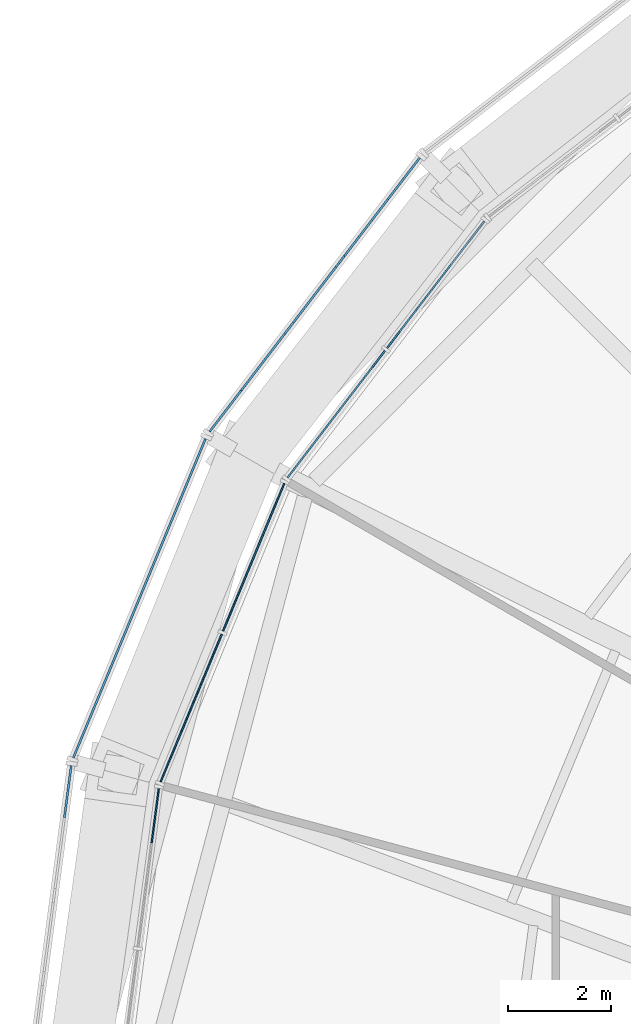
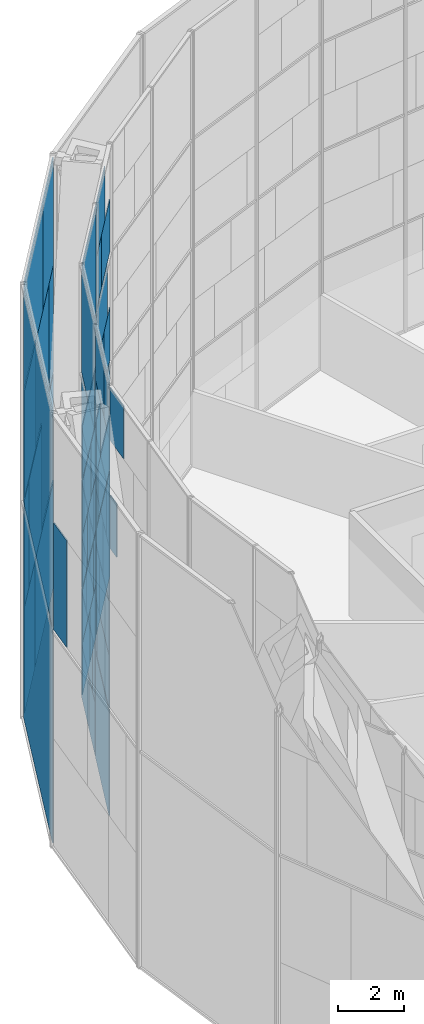
# One storey, part 21 of 29: 63 plates, 6 elements without a shape of their own.
"""IFC4 building model written with IfcOpenShell, lengths in metres."""

from ifc_helpers import new_model, si_unit, direction, frame, origin, origin_2d, place, context, subcontext, project, spatial, rectangle, extrude, material, layer, layer_set, type_object, element, aggregate, save


model = new_model("IFC4")

# Units and contexts
model_context = context("Model", 3, precision=1e-05, world=origin(), true_north=direction((0.0, 1.0)))
body_context = subcontext(model_context, "Body", "Model", "MODEL_VIEW")
ifc_project = project(units=[si_unit("LENGTHUNIT", "METRE"), si_unit("AREAUNIT", "SQUARE_METRE"), si_unit("VOLUMEUNIT", "CUBIC_METRE"), si_unit("PLANEANGLEUNIT", "RADIAN"), si_unit("MASSUNIT", "GRAM", prefix="KILO")], contexts=[model_context])

# Site, building, storey
site_placement = place(None, origin())
site = spatial("IfcSite", under=ifc_project, at=site_placement, CompositionType="ELEMENT")
building_placement = place(site_placement, origin())
building = spatial("IfcBuilding", under=site, at=building_placement, Name="Golbaran Civic Tower", CompositionType="ELEMENT")
storey_placement = place(building_placement, frame((0.0, 0.0, 118.0)))
storey = spatial("IfcBuildingStorey", under=building, at=storey_placement, Name="L28", CompositionType="ELEMENT", Elevation=118.0)

# Curtain wall, plates
ifc_material_1 = material(Name="Aluminium and glass", Category="aluminium")
curtain_wall_type_1 = type_object("IfcCurtainWallType", Name="INNER SKIN CURTAIN WALL", PredefinedType="NOTDEFINED", material=ifc_material_1)
curtain_wall_1_placement = place(storey_placement, origin())
curtain_wall_1 = element("IfcCurtainWall", 1, at=curtain_wall_1_placement, inside=storey, type_object=curtain_wall_type_1, Name="Inner skin L28 facet 10 CW1", ObjectType="INNER SKIN", PredefinedType="USERDEFINED")
ifc_material_2 = material(Name="Clear insulating glass", Category="glass")
ifc_layer_1 = layer(ifc_material_2, 0.031982421875, Name="Clear insulating glass")
ifc_layer_set_1 = layer_set([ifc_layer_1], Name="Clear insulating glass")
plate_type_1 = type_object("IfcPlateType", Name="INNER SKIN CURTAIN WALL GLAZED PANEL", PredefinedType="CURTAIN_PANEL", material=ifc_layer_set_1)
plate_1_placement = place(storey_placement, frame((-18.332763671875, 16.06494140625, 0.06494140625), z_axis=(0.0, 0.0, 1.0), x_axis=(-0.608761428898, -0.793353340376, 0.0)))
plate_1 = element("IfcPlate", 2, at=plate_1_placement, type_object=plate_type_1, Name="CW1 panel 1.1", PredefinedType="CURTAIN_PANEL", context=body_context, shape_type="SweptSolid", body=[
    extrude(rectangle(XDim=3.104736328125, YDim=0.031982421875, at=origin_2d()), origin(), (0.0, 0.0, 1.0), 3.902587890625),
])
plate_2_placement = place(storey_placement, frame((-18.21044921875, 16.224365234375, 4.03271484375), z_axis=(0.0, 0.0, 1.0), x_axis=(-0.608761428898, -0.793353340376, 0.0)))
plate_2 = element("IfcPlate", 3, at=plate_2_placement, type_object=plate_type_1, Name="CW1 panel 1.2 part 1", PredefinedType="CURTAIN_PANEL", context=body_context, shape_type="SweptSolid", body=[
    extrude(rectangle(XDim=2.702880859375, YDim=0.031982421875, at=origin_2d()), origin(), (0.0, 0.0, 1.0), 1.967529296875),
])
plate_3_placement = place(storey_placement, frame((-18.047119140625, 16.4375, 6.0), z_axis=(0.0, 0.0, 1.0), x_axis=(-0.608761428898, -0.793353340376, 0.0)))
plate_3 = element("IfcPlate", 4, at=plate_3_placement, type_object=plate_type_1, Name="CW1 panel 1.2 part 3", PredefinedType="CURTAIN_PANEL", context=body_context, shape_type="SweptSolid", body=[
    extrude(rectangle(XDim=2.166015625, YDim=0.031982421875, at=origin_2d()), origin(), (0.0, 0.0, 1.0), 1.967529296875),
])
plate_4_placement = place(storey_placement, frame((-17.791015625, 16.77099609375, 8.03271484375), z_axis=(0.0, 0.0, 1.0), x_axis=(-0.608761428898, -0.793353340376, 0.0)))
plate_4 = element("IfcPlate", 5, at=plate_4_placement, type_object=plate_type_1, Name="CW1 panel 1.3 part 1", PredefinedType="CURTAIN_PANEL", context=body_context, shape_type="SweptSolid", body=[
    extrude(rectangle(XDim=1.324951171875, YDim=0.031982421875, at=origin_2d()), origin(), (0.0, 0.0, 1.0), 1.967529296875),
])
plate_5_placement = place(storey_placement, frame((-18.90283203125, 15.322021484375, 12.032470703125), z_axis=(0.0, 0.0, 1.0), x_axis=(-0.608761428898, -0.793353340376, 0.0)))
plate_5 = element("IfcPlate", 6, at=plate_5_placement, type_object=plate_type_1, Name="CW1 panel 1.4 part 2", PredefinedType="CURTAIN_PANEL", context=body_context, shape_type="SweptSolid", body=[
    extrude(rectangle(XDim=1.23193359375, YDim=0.031982421875, at=origin_2d()), origin(), (0.0, 0.0, 1.0), 1.951171875),
])
plate_6_placement = place(storey_placement, frame((-18.656982421875, 15.642578125, 13.98388671875), z_axis=(0.0, 0.0, 1.0), x_axis=(-0.608761428898, -0.793353340376, 0.0)))
plate_6 = element("IfcPlate", 7, at=plate_6_placement, type_object=plate_type_1, Name="CW1 panel 1.4 part 4", PredefinedType="CURTAIN_PANEL", context=body_context, shape_type="SweptSolid", body=[
    extrude(rectangle(XDim=2.039794921875, YDim=0.031982421875, at=origin_2d()), origin(), (0.0, 0.0, 1.0), 1.951171875),
])
plate_7_placement = place(storey_placement, frame((-19.761474609375, 14.203125, 0.06494140625), z_axis=(0.0, 0.0, 1.0), x_axis=(-0.608761428898, -0.793353340376, 0.0)))
plate_7 = element("IfcPlate", 8, at=plate_7_placement, type_object=plate_type_1, Name="CW1 panel 2.1 part 1", PredefinedType="CURTAIN_PANEL", context=body_context, shape_type="SweptSolid", body=[
    extrude(rectangle(XDim=1.458984375, YDim=0.031982421875, at=origin_2d()), origin(), (0.0, 0.0, 1.0), 1.951171875),
])
plate_8_placement = place(storey_placement, frame((-19.515625, 14.5234375, 2.016357421875), z_axis=(0.0, 0.0, 1.0), x_axis=(-0.608761428898, -0.793353340376, 0.0)))
plate_8 = element("IfcPlate", 9, at=plate_8_placement, type_object=plate_type_1, Name="CW1 panel 2.1 part 3", PredefinedType="CURTAIN_PANEL", context=body_context, shape_type="SweptSolid", body=[
    extrude(rectangle(XDim=0.65087890625, YDim=0.031982421875, at=origin_2d()), origin(), (0.0, 0.0, 1.0), 1.951171875),
])
plate_9_placement = place(storey_placement, frame((-20.87548828125, 12.751220703125, 4.03271484375), z_axis=(0.0, 0.0, 1.0), x_axis=(-0.608761428898, -0.793353340376, 0.0)))
plate_9 = element("IfcPlate", 10, at=plate_9_placement, type_object=plate_type_1, Name="CW1 panel 2.2 part 2", PredefinedType="CURTAIN_PANEL", context=body_context, shape_type="SweptSolid", body=[
    extrude(rectangle(XDim=1.0908203125, YDim=0.031982421875, at=origin_2d()), origin(), (0.0, 0.0, 1.0), 1.967529296875),
])
plate_10_placement = place(storey_placement, frame((-20.62744140625, 13.074462890625, 6.0), z_axis=(0.0, 0.0, 1.0), x_axis=(-0.608761428898, -0.793353340376, 0.0)))
plate_10 = element("IfcPlate", 11, at=plate_10_placement, type_object=plate_type_1, Name="CW1 panel 2.2 part 4", PredefinedType="CURTAIN_PANEL", context=body_context, shape_type="SweptSolid", body=[
    extrude(rectangle(XDim=1.90576171875, YDim=0.031982421875, at=origin_2d()), origin(), (0.0, 0.0, 1.0), 1.967529296875),
])
plate_11_placement = place(storey_placement, frame((-20.38427734375, 13.3916015625, 8.03271484375), z_axis=(0.0, 0.0, 1.0), x_axis=(-0.608761428898, -0.793353340376, 0.0)))
plate_11 = element("IfcPlate", 12, at=plate_11_placement, type_object=plate_type_1, Name="CW1 panel 2.3 part 2", PredefinedType="CURTAIN_PANEL", context=body_context, shape_type="SweptSolid", body=[
    extrude(rectangle(XDim=2.704833984375, YDim=0.031982421875, at=origin_2d()), origin(), (0.0, 0.0, 1.0), 1.967529296875),
])
plate_12_placement = place(storey_placement, frame((-20.262451171875, 13.55029296875, 10.0), z_axis=(0.0, 0.0, 1.0), x_axis=(-0.608761428898, -0.793353340376, 0.0)))
plate_12 = element("IfcPlate", 13, at=plate_12_placement, type_object=plate_type_1, Name="CW1 panel 2.3 part 3", PredefinedType="CURTAIN_PANEL", context=body_context, shape_type="SweptSolid", body=[
    extrude(rectangle(XDim=3.104736328125, YDim=0.031982421875, at=origin_2d()), origin(), (0.0, 0.0, 1.0), 1.967529296875),
])
plate_13_placement = place(storey_placement, frame((-20.262451171875, 13.55029296875, 12.0322265625), z_axis=(0.0, 0.0, 1.0), x_axis=(-0.608761428898, -0.793353340376, 0.0)))
plate_13 = element("IfcPlate", 14, at=plate_13_placement, type_object=plate_type_1, Name="CW1 panel 2.4", PredefinedType="CURTAIN_PANEL", context=body_context, shape_type="SweptSolid", body=[
    extrude(rectangle(XDim=3.104736328125, YDim=0.031982421875, at=origin_2d()), origin(), (0.0, 0.0, 1.0), 3.902587890625),
])

curtain_wall_2_placement = place(storey_placement, origin())
curtain_wall_2 = element("IfcCurtainWall", 15, at=curtain_wall_2_placement, inside=storey, type_object=curtain_wall_type_1, Name="Inner skin L28 facet 11 CW1", ObjectType="INNER SKIN", PredefinedType="USERDEFINED")
plate_14_placement = place(storey_placement, frame((-22.180908203125, 10.012451171875, 0.06494140625), z_axis=(0.0, 0.0, 1.0), x_axis=(-0.38268343243, -0.923879532485, 0.0)))
plate_14 = element("IfcPlate", 16, at=plate_14_placement, type_object=plate_type_1, Name="CW1 panel 1.1 part 2", PredefinedType="CURTAIN_PANEL", context=body_context, shape_type="SweptSolid", body=[
    extrude(rectangle(XDim=1.458740234375, YDim=0.031982421875, at=origin_2d()), origin(), (0.0, 0.0, 1.0), 1.951171875),
])
plate_15_placement = place(storey_placement, frame((-22.33544921875, 9.6396484375, 2.016357421875), z_axis=(0.0, 0.0, 1.0), x_axis=(-0.38268343243, -0.923879532485, 0.0)))
plate_15 = element("IfcPlate", 17, at=plate_15_placement, type_object=plate_type_1, Name="CW1 panel 1.1 part 4", PredefinedType="CURTAIN_PANEL", context=body_context, shape_type="SweptSolid", body=[
    extrude(rectangle(XDim=0.65185546875, YDim=0.031982421875, at=origin_2d()), origin(), (0.0, 0.0, 1.0), 1.951171875),
])
plate_16_placement = place(storey_placement, frame((-21.480712890625, 11.702880859375, 4.03271484375), z_axis=(0.0, 0.0, 1.0), x_axis=(-0.38268343243, -0.923879532485, 0.0)))
plate_16 = element("IfcPlate", 18, at=plate_16_placement, type_object=plate_type_1, Name="CW1 panel 1.2 part 1", PredefinedType="CURTAIN_PANEL", context=body_context, shape_type="SweptSolid", body=[
    extrude(rectangle(XDim=1.091064453125, YDim=0.031982421875, at=origin_2d()), origin(), (0.0, 0.0, 1.0), 1.967529296875),
])
plate_17_placement = place(storey_placement, frame((-21.636474609375, 11.326904296875, 6.0), z_axis=(0.0, 0.0, 1.0), x_axis=(-0.38268343243, -0.923879532485, 0.0)))
plate_17 = element("IfcPlate", 19, at=plate_17_placement, type_object=plate_type_1, Name="CW1 panel 1.2 part 3", PredefinedType="CURTAIN_PANEL", context=body_context, shape_type="SweptSolid", body=[
    extrude(rectangle(XDim=1.905029296875, YDim=0.031982421875, at=origin_2d()), origin(), (0.0, 0.0, 1.0), 1.967529296875),
])
plate_18_placement = place(storey_placement, frame((-21.7890625, 10.958251953125, 8.03271484375), z_axis=(0.0, 0.0, 1.0), x_axis=(-0.38268343243, -0.923879532485, 0.0)))
plate_18 = element("IfcPlate", 20, at=plate_18_placement, type_object=plate_type_1, Name="CW1 panel 1.3 part 1", PredefinedType="CURTAIN_PANEL", context=body_context, shape_type="SweptSolid", body=[
    extrude(rectangle(XDim=2.702880859375, YDim=0.031982421875, at=origin_2d()), origin(), (0.0, 0.0, 1.0), 1.967529296875),
])
plate_19_placement = place(storey_placement, frame((-21.865966796875, 10.772705078125, 10.0), z_axis=(0.0, 0.0, 1.0), x_axis=(-0.38268343243, -0.923879532485, 0.0)))
plate_19 = element("IfcPlate", 21, at=plate_19_placement, type_object=plate_type_1, Name="CW1 panel 1.3 part 3", PredefinedType="CURTAIN_PANEL", context=body_context, shape_type="SweptSolid", body=[
    extrude(rectangle(XDim=3.104736328125, YDim=0.031982421875, at=origin_2d()), origin(), (0.0, 0.0, 1.0), 1.967529296875),
])
plate_20_placement = place(storey_placement, frame((-21.865966796875, 10.772705078125, 12.0322265625), z_axis=(0.0, 0.0, 1.0), x_axis=(-0.38268343243, -0.923879532485, 0.0)))
plate_20 = element("IfcPlate", 22, at=plate_20_placement, type_object=plate_type_1, Name="CW1 panel 1.4", PredefinedType="CURTAIN_PANEL", context=body_context, shape_type="SweptSolid", body=[
    extrude(rectangle(XDim=3.104736328125, YDim=0.031982421875, at=origin_2d()), origin(), (0.0, 0.0, 1.0), 3.902587890625),
])
plate_21_placement = place(storey_placement, frame((-23.0791015625, 7.84423828125, 0.06494140625), z_axis=(0.0, 0.0, 1.0), x_axis=(-0.38268343243, -0.923879532485, 0.0)))
plate_21 = element("IfcPlate", 23, at=plate_21_placement, type_object=plate_type_1, Name="CW1 panel 2.1", PredefinedType="CURTAIN_PANEL", context=body_context, shape_type="SweptSolid", body=[
    extrude(rectangle(XDim=3.104736328125, YDim=0.031982421875, at=origin_2d()), origin(), (0.0, 0.0, 1.0), 3.902587890625),
])
plate_22_placement = place(storey_placement, frame((-23.15576171875, 7.658935546875, 4.03271484375), z_axis=(0.0, 0.0, 1.0), x_axis=(-0.38268343243, -0.923879532485, 0.0)))
plate_22 = element("IfcPlate", 24, at=plate_22_placement, type_object=plate_type_1, Name="CW1 panel 2.2 part 2", PredefinedType="CURTAIN_PANEL", context=body_context, shape_type="SweptSolid", body=[
    extrude(rectangle(XDim=2.703857421875, YDim=0.031982421875, at=origin_2d()), origin(), (0.0, 0.0, 1.0), 1.967529296875),
])
plate_23_placement = place(storey_placement, frame((-23.2587890625, 7.410400390625, 6.0), z_axis=(0.0, 0.0, 1.0), x_axis=(-0.38268343243, -0.923879532485, 0.0)))
plate_23 = element("IfcPlate", 25, at=plate_23_placement, type_object=plate_type_1, Name="CW1 panel 2.2 part 4", PredefinedType="CURTAIN_PANEL", context=body_context, shape_type="SweptSolid", body=[
    extrude(rectangle(XDim=2.165771484375, YDim=0.031982421875, at=origin_2d()), origin(), (0.0, 0.0, 1.0), 1.967529296875),
])
plate_24_placement = place(storey_placement, frame((-23.419677734375, 7.02197265625, 8.03271484375), z_axis=(0.0, 0.0, 1.0), x_axis=(-0.38268343243, -0.923879532485, 0.0)))
plate_24 = element("IfcPlate", 26, at=plate_24_placement, type_object=plate_type_1, Name="CW1 panel 2.3 part 2", PredefinedType="CURTAIN_PANEL", context=body_context, shape_type="SweptSolid", body=[
    extrude(rectangle(XDim=1.324951171875, YDim=0.031982421875, at=origin_2d()), origin(), (0.0, 0.0, 1.0), 1.967529296875),
])
plate_25_placement = place(storey_placement, frame((-23.57568359375, 6.6455078125, 10.0), z_axis=(0.0, 0.0, 1.0), x_axis=(-0.38268343243, -0.923879532485, 0.0)))
plate_25 = element("IfcPlate", 27, at=plate_25_placement, type_object=plate_type_1, Name="CW1 panel 2.3 part 4", PredefinedType="CURTAIN_PANEL", context=body_context, shape_type="SweptSolid", body=[
    extrude(rectangle(XDim=0.509765625, YDim=0.031982421875, at=origin_2d()), origin(), (0.0, 0.0, 1.0), 1.967529296875),
])
plate_26_placement = place(storey_placement, frame((-22.720703125, 8.709228515625, 12.032470703125), z_axis=(0.0, 0.0, 1.0), x_axis=(-0.38268343243, -0.923879532485, 0.0)))
plate_26 = element("IfcPlate", 28, at=plate_26_placement, type_object=plate_type_1, Name="CW1 panel 2.4 part 1", PredefinedType="CURTAIN_PANEL", context=body_context, shape_type="SweptSolid", body=[
    extrude(rectangle(XDim=1.23193359375, YDim=0.031982421875, at=origin_2d()), origin(), (0.0, 0.0, 1.0), 1.951171875),
])
plate_27_placement = place(storey_placement, frame((-22.875244140625, 8.3359375, 13.98388671875), z_axis=(0.0, 0.0, 1.0), x_axis=(-0.38268343243, -0.923879532485, 0.0)))
plate_27 = element("IfcPlate", 29, at=plate_27_placement, type_object=plate_type_1, Name="CW1 panel 2.4 part 3", PredefinedType="CURTAIN_PANEL", context=body_context, shape_type="SweptSolid", body=[
    extrude(rectangle(XDim=2.0400390625, YDim=0.031982421875, at=origin_2d()), origin(), (0.0, 0.0, 1.0), 1.951171875),
])

# Curtain wall, plate
curtain_wall_3_placement = place(storey_placement, origin())
curtain_wall_3 = element("IfcCurtainWall", 30, at=curtain_wall_3_placement, inside=storey, type_object=curtain_wall_type_1, Name="Inner skin L28 facet 12 CW1", ObjectType="INNER SKIN", PredefinedType="USERDEFINED")
plate_28_placement = place(storey_placement, frame((-23.73974609375, 6.03271484375, 10.0), z_axis=(0.0, 0.0, 1.0), x_axis=(-0.130526192237, -0.991444861372, 0.0)))
plate_28 = element("IfcPlate", 31, at=plate_28_placement, type_object=plate_type_1, Name="CW1 panel 1.3 part 3", PredefinedType="CURTAIN_PANEL", context=body_context, shape_type="SweptSolid", body=[
    extrude(rectangle(XDim=0.510009765625, YDim=0.031982421875, at=origin_2d()), origin(), (0.0, 0.0, 1.0), 1.967529296875),
])

# Plate
ifc_material_3 = material(Name="Aluminium faced opaque infill panel", Category="aluminium")
ifc_layer_2 = layer(ifc_material_3, 0.031982421875, Name="Aluminium faced opaque infill panel")
ifc_layer_set_2 = layer_set([ifc_layer_2], Name="Aluminium faced opaque infill panel")
plate_type_2 = type_object("IfcPlateType", Name="INNER SKIN CURTAIN WALL OPAQUE INFILL PANEL", PredefinedType="CURTAIN_PANEL", material=ifc_layer_set_2)
plate_29_placement = place(storey_placement, frame((-19.155517578125, 14.99267578125, 4.03271484375), z_axis=(0.0, 0.0, 1.0), x_axis=(-0.608761428898, -0.793353340376, 0.0)))
plate_29 = element("IfcPlate", 32, at=plate_29_placement, type_object=plate_type_2, Name="CW1 infill panel 1.2 part 2", PredefinedType="CURTAIN_PANEL", context=body_context, shape_type="SweptSolid", body=[
    extrude(rectangle(XDim=0.40185546875, YDim=0.031982421875, at=origin_2d()), origin(), (0.0, 0.0, 1.0), 1.967529296875),
])

plate_30_placement = place(storey_placement, frame((-18.9921875, 15.205810546875, 6.0), z_axis=(0.0, 0.0, 1.0), x_axis=(-0.608761428898, -0.793353340376, 0.0)))
plate_30 = element("IfcPlate", 33, at=plate_30_placement, type_object=plate_type_2, Name="CW1 infill panel 1.2 part 4", PredefinedType="CURTAIN_PANEL", context=body_context, shape_type="SweptSolid", body=[
    extrude(rectangle(XDim=0.938720703125, YDim=0.031982421875, at=origin_2d()), origin(), (0.0, 0.0, 1.0), 1.967529296875),
])

plate_31_placement = place(storey_placement, frame((-18.736083984375, 15.539306640625, 8.03271484375), z_axis=(0.0, 0.0, 1.0), x_axis=(-0.608761428898, -0.793353340376, 0.0)))
plate_31 = element("IfcPlate", 34, at=plate_31_placement, type_object=plate_type_2, Name="CW1 infill panel 1.3 part 2", PredefinedType="CURTAIN_PANEL", context=body_context, shape_type="SweptSolid", body=[
    extrude(rectangle(XDim=1.77978515625, YDim=0.031982421875, at=origin_2d()), origin(), (0.0, 0.0, 1.0), 1.967529296875),
])

plate_32_placement = place(storey_placement, frame((-18.488037109375, 15.86279296875, 10.0), z_axis=(0.0, 0.0, 1.0), x_axis=(-0.608761428898, -0.793353340376, 0.0)))
plate_32 = element("IfcPlate", 35, at=plate_32_placement, type_object=plate_type_2, Name="CW1 infill panel 1.3 part 4", PredefinedType="CURTAIN_PANEL", context=body_context, shape_type="SweptSolid", body=[
    extrude(rectangle(XDim=2.5947265625, YDim=0.031982421875, at=origin_2d()), origin(), (0.0, 0.0, 1.0), 1.967529296875),
])

plate_33_placement = place(storey_placement, frame((-17.957763671875, 16.5537109375, 12.032470703125), z_axis=(0.0, 0.0, 1.0), x_axis=(-0.608761428898, -0.793353340376, 0.0)))
plate_33 = element("IfcPlate", 36, at=plate_33_placement, type_object=plate_type_2, Name="CW1 infill panel 1.4 part 1", PredefinedType="CURTAIN_PANEL", context=body_context, shape_type="SweptSolid", body=[
    extrude(rectangle(XDim=1.873046875, YDim=0.031982421875, at=origin_2d()), origin(), (0.0, 0.0, 1.0), 1.951171875),
])

plate_34_placement = place(storey_placement, frame((-20.70654296875, 12.971435546875, 0.06494140625), z_axis=(0.0, 0.0, 1.0), x_axis=(-0.608761428898, -0.793353340376, 0.0)))
plate_34 = element("IfcPlate", 37, at=plate_34_placement, type_object=plate_type_2, Name="CW1 infill panel 2.1 part 2", PredefinedType="CURTAIN_PANEL", context=body_context, shape_type="SweptSolid", body=[
    extrude(rectangle(XDim=1.645751953125, YDim=0.031982421875, at=origin_2d()), origin(), (0.0, 0.0, 1.0), 1.951171875),
])

plate_35_placement = place(storey_placement, frame((-20.460693359375, 13.2919921875, 2.016357421875), z_axis=(0.0, 0.0, 1.0), x_axis=(-0.608761428898, -0.793353340376, 0.0)))
plate_35 = element("IfcPlate", 38, at=plate_35_placement, type_object=plate_type_2, Name="CW1 infill panel 2.1 part 4", PredefinedType="CURTAIN_PANEL", context=body_context, shape_type="SweptSolid", body=[
    extrude(rectangle(XDim=2.453857421875, YDim=0.031982421875, at=origin_2d()), origin(), (0.0, 0.0, 1.0), 1.951171875),
])

plate_36_placement = place(storey_placement, frame((-19.930419921875, 13.98291015625, 4.03271484375), z_axis=(0.0, 0.0, 1.0), x_axis=(-0.608761428898, -0.793353340376, 0.0)))
plate_36 = element("IfcPlate", 39, at=plate_36_placement, type_object=plate_type_2, Name="CW1 infill panel 2.2 part 1", PredefinedType="CURTAIN_PANEL", context=body_context, shape_type="SweptSolid", body=[
    extrude(rectangle(XDim=2.013916015625, YDim=0.031982421875, at=origin_2d()), origin(), (0.0, 0.0, 1.0), 1.967529296875),
])

plate_37_placement = place(storey_placement, frame((-19.682373046875, 14.30615234375, 6.0), z_axis=(0.0, 0.0, 1.0), x_axis=(-0.608761428898, -0.793353340376, 0.0)))
plate_37 = element("IfcPlate", 40, at=plate_37_placement, type_object=plate_type_2, Name="CW1 infill panel 2.2 part 3", PredefinedType="CURTAIN_PANEL", context=body_context, shape_type="SweptSolid", body=[
    extrude(rectangle(XDim=1.198974609375, YDim=0.031982421875, at=origin_2d()), origin(), (0.0, 0.0, 1.0), 1.967529296875),
])

plate_38_placement = place(storey_placement, frame((-19.439208984375, 14.623046875, 8.03271484375), z_axis=(0.0, 0.0, 1.0), x_axis=(-0.608761428898, -0.793353340376, 0.0)))
plate_38 = element("IfcPlate", 41, at=plate_38_placement, type_object=plate_type_2, Name="CW1 infill panel 2.3 part 1", PredefinedType="CURTAIN_PANEL", context=body_context, shape_type="SweptSolid", body=[
    extrude(rectangle(XDim=0.39990234375, YDim=0.031982421875, at=origin_2d()), origin(), (0.0, 0.0, 1.0), 1.967529296875),
])

aggregate(curtain_wall_1, [plate_1, plate_2, plate_29, plate_3, plate_30, plate_4, plate_31, plate_32, plate_33, plate_5, plate_6, plate_7, plate_34, plate_8, plate_35, plate_36, plate_9, plate_37, plate_10, plate_38, plate_11, plate_12, plate_13])

plate_39_placement = place(storey_placement, frame((-21.5869140625, 11.446533203125, 0.06494140625), z_axis=(0.0, 0.0, 1.0), x_axis=(-0.38268343243, -0.923879532485, 0.0)))
plate_39 = element("IfcPlate", 42, at=plate_39_placement, type_object=plate_type_2, Name="CW1 infill panel 1.1 part 1", PredefinedType="CURTAIN_PANEL", context=body_context, shape_type="SweptSolid", body=[
    extrude(rectangle(XDim=1.64599609375, YDim=0.031982421875, at=origin_2d()), origin(), (0.0, 0.0, 1.0), 1.951171875),
])

plate_40_placement = place(storey_placement, frame((-21.7412109375, 11.07373046875, 2.016357421875), z_axis=(0.0, 0.0, 1.0), x_axis=(-0.38268343243, -0.923879532485, 0.0)))
plate_40 = element("IfcPlate", 43, at=plate_40_placement, type_object=plate_type_2, Name="CW1 infill panel 1.1 part 3", PredefinedType="CURTAIN_PANEL", context=body_context, shape_type="SweptSolid", body=[
    extrude(rectangle(XDim=2.452880859375, YDim=0.031982421875, at=origin_2d()), origin(), (0.0, 0.0, 1.0), 1.951171875),
])

plate_41_placement = place(storey_placement, frame((-22.07470703125, 10.268798828125, 4.03271484375), z_axis=(0.0, 0.0, 1.0), x_axis=(-0.38268343243, -0.923879532485, 0.0)))
plate_41 = element("IfcPlate", 44, at=plate_41_placement, type_object=plate_type_2, Name="CW1 infill panel 1.2 part 2", PredefinedType="CURTAIN_PANEL", context=body_context, shape_type="SweptSolid", body=[
    extrude(rectangle(XDim=2.013916015625, YDim=0.031982421875, at=origin_2d()), origin(), (0.0, 0.0, 1.0), 1.967529296875),
])

plate_42_placement = place(storey_placement, frame((-22.23046875, 9.892822265625, 6.0), z_axis=(0.0, 0.0, 1.0), x_axis=(-0.38268343243, -0.923879532485, 0.0)))
plate_42 = element("IfcPlate", 45, at=plate_42_placement, type_object=plate_type_2, Name="CW1 infill panel 1.2 part 4", PredefinedType="CURTAIN_PANEL", context=body_context, shape_type="SweptSolid", body=[
    extrude(rectangle(XDim=1.199951171875, YDim=0.031982421875, at=origin_2d()), origin(), (0.0, 0.0, 1.0), 1.967529296875),
])

plate_43_placement = place(storey_placement, frame((-22.38330078125, 9.524169921875, 8.03271484375), z_axis=(0.0, 0.0, 1.0), x_axis=(-0.38268343243, -0.923879532485, 0.0)))
plate_43 = element("IfcPlate", 46, at=plate_43_placement, type_object=plate_type_2, Name="CW1 infill panel 1.3 part 2", PredefinedType="CURTAIN_PANEL", context=body_context, shape_type="SweptSolid", body=[
    extrude(rectangle(XDim=0.40185546875, YDim=0.031982421875, at=origin_2d()), origin(), (0.0, 0.0, 1.0), 1.967529296875),
])

plate_44_placement = place(storey_placement, frame((-22.561767578125, 9.09326171875, 4.03271484375), z_axis=(0.0, 0.0, 1.0), x_axis=(-0.38268343243, -0.923879532485, 0.0)))
plate_44 = element("IfcPlate", 47, at=plate_44_placement, type_object=plate_type_2, Name="CW1 infill panel 2.2 part 1", PredefinedType="CURTAIN_PANEL", context=body_context, shape_type="SweptSolid", body=[
    extrude(rectangle(XDim=0.40087890625, YDim=0.031982421875, at=origin_2d()), origin(), (0.0, 0.0, 1.0), 1.967529296875),
])

plate_45_placement = place(storey_placement, frame((-22.66455078125, 8.8447265625, 6.0), z_axis=(0.0, 0.0, 1.0), x_axis=(-0.38268343243, -0.923879532485, 0.0)))
plate_45 = element("IfcPlate", 48, at=plate_45_placement, type_object=plate_type_2, Name="CW1 infill panel 2.2 part 3", PredefinedType="CURTAIN_PANEL", context=body_context, shape_type="SweptSolid", body=[
    extrude(rectangle(XDim=0.93896484375, YDim=0.031982421875, at=origin_2d()), origin(), (0.0, 0.0, 1.0), 1.967529296875),
])

plate_46_placement = place(storey_placement, frame((-22.82568359375, 8.4560546875, 8.03271484375), z_axis=(0.0, 0.0, 1.0), x_axis=(-0.38268343243, -0.923879532485, 0.0)))
plate_46 = element("IfcPlate", 49, at=plate_46_placement, type_object=plate_type_2, Name="CW1 infill panel 2.3 part 1", PredefinedType="CURTAIN_PANEL", context=body_context, shape_type="SweptSolid", body=[
    extrude(rectangle(XDim=1.780029296875, YDim=0.031982421875, at=origin_2d()), origin(), (0.0, 0.0, 1.0), 1.967529296875),
])

plate_47_placement = place(storey_placement, frame((-22.9814453125, 8.07958984375, 10.0), z_axis=(0.0, 0.0, 1.0), x_axis=(-0.38268343243, -0.923879532485, 0.0)))
plate_47 = element("IfcPlate", 50, at=plate_47_placement, type_object=plate_type_2, Name="CW1 infill panel 2.3 part 3", PredefinedType="CURTAIN_PANEL", context=body_context, shape_type="SweptSolid", body=[
    extrude(rectangle(XDim=2.594970703125, YDim=0.031982421875, at=origin_2d()), origin(), (0.0, 0.0, 1.0), 1.967529296875),
])

plate_48_placement = place(storey_placement, frame((-23.314697265625, 7.275146484375, 12.032470703125), z_axis=(0.0, 0.0, 1.0), x_axis=(-0.38268343243, -0.923879532485, 0.0)))
plate_48 = element("IfcPlate", 51, at=plate_48_placement, type_object=plate_type_2, Name="CW1 infill panel 2.4 part 2", PredefinedType="CURTAIN_PANEL", context=body_context, shape_type="SweptSolid", body=[
    extrude(rectangle(XDim=1.872802734375, YDim=0.031982421875, at=origin_2d()), origin(), (0.0, 0.0, 1.0), 1.951171875),
])

plate_49_placement = place(storey_placement, frame((-23.469482421875, 6.90185546875, 13.98388671875), z_axis=(0.0, 0.0, 1.0), x_axis=(-0.38268343243, -0.923879532485, 0.0)))
plate_49 = element("IfcPlate", 52, at=plate_49_placement, type_object=plate_type_2, Name="CW1 infill panel 2.4 part 4", PredefinedType="CURTAIN_PANEL", context=body_context, shape_type="SweptSolid", body=[
    extrude(rectangle(XDim=1.06494140625, YDim=0.031982421875, at=origin_2d()), origin(), (0.0, 0.0, 1.0), 1.951171875),
])

aggregate(curtain_wall_2, [plate_39, plate_14, plate_40, plate_15, plate_16, plate_41, plate_17, plate_42, plate_18, plate_43, plate_19, plate_20, plate_21, plate_44, plate_22, plate_45, plate_23, plate_46, plate_24, plate_47, plate_25, plate_26, plate_48, plate_27, plate_49])

plate_50_placement = place(storey_placement, frame((-23.776123046875, 5.757568359375, 13.98388671875), z_axis=(0.0, 0.0, 1.0), x_axis=(-0.130526192237, -0.991444861372, 0.0)))
plate_50 = element("IfcPlate", 53, at=plate_50_placement, type_object=plate_type_2, Name="CW1 infill panel 1.4 part 3", PredefinedType="CURTAIN_PANEL", context=body_context, shape_type="SweptSolid", body=[
    extrude(rectangle(XDim=1.06494140625, YDim=0.031982421875, at=origin_2d()), origin(), (0.0, 0.0, 1.0), 1.951171875),
])

aggregate(curtain_wall_3, [plate_28, plate_50])

# Curtain wall, plates
curtain_wall_type_2 = type_object("IfcCurtainWallType", Name="OUTER SKIN TERRACOTTA SCREEN", PredefinedType="NOTDEFINED", material=ifc_material_1)
curtain_wall_4_placement = place(storey_placement, origin())
curtain_wall_4 = element("IfcCurtainWall", 54, at=curtain_wall_4_placement, inside=storey, type_object=curtain_wall_type_2, Name="Outer skin L28 facet 10 CW3", ObjectType="OUTER SKIN", PredefinedType="USERDEFINED")
ifc_material_4 = material(Name="Clear laminated glass", Category="glass")
ifc_layer_3 = layer(ifc_material_4, 0.0400390625, Name="Clear laminated glass")
ifc_layer_set_3 = layer_set([ifc_layer_3], Name="Clear laminated glass")
plate_type_3 = type_object("IfcPlateType", Name="OUTER SKIN CLEAR GLASS PANEL", PredefinedType="CURTAIN_PANEL", material=ifc_layer_set_3)
plate_51_placement = place(storey_placement, frame((-19.951904296875, 16.819580078125, -0.6298828125), z_axis=(0.0, 0.0, 1.0), x_axis=(-0.608761428995, -0.793353340302, 0.0)))
plate_51 = element("IfcPlate", 55, at=plate_51_placement, type_object=plate_type_3, Name="CW3 panel 1.1 part 1", PredefinedType="CURTAIN_PANEL", context=body_context, shape_type="SweptSolid", body=[
    extrude(rectangle(XDim=4.30810546875, YDim=0.0400390625, at=origin_2d()), origin(), (0.0, 0.0, 1.0), 3.93994140625),
])
plate_52_placement = place(storey_placement, frame((-19.45556640625, 17.466552734375, 3.31005859375), z_axis=(0.0, 0.0, 1.0), x_axis=(-0.608761428995, -0.793353340302, 0.0)))
plate_52 = element("IfcPlate", 56, at=plate_52_placement, type_object=plate_type_3, Name="CW3 panel 1.1 part 3", PredefinedType="CURTAIN_PANEL", context=body_context, shape_type="SweptSolid", body=[
    extrude(rectangle(XDim=2.677001953125, YDim=0.0400390625, at=origin_2d()), origin(), (0.0, 0.0, 1.0), 3.93994140625),
])
plate_53_placement = place(storey_placement, frame((-22.415283203125, 13.609375, 3.31005859375), z_axis=(0.0, 0.0, 1.0), x_axis=(-0.608761428995, -0.793353340302, 0.0)))
plate_53 = element("IfcPlate", 57, at=plate_53_placement, type_object=plate_type_3, Name="CW3 panel 1.1 part 5", PredefinedType="CURTAIN_PANEL", context=body_context, shape_type="SweptSolid", body=[
    extrude(rectangle(XDim=1.0068359375, YDim=0.0400390625, at=origin_2d()), origin(), (0.0, 0.0, 1.0), 3.93994140625),
])
plate_54_placement = place(storey_placement, frame((-18.94921875, 18.126220703125, 7.330078125), z_axis=(0.0, 0.0, 1.0), x_axis=(-0.608761428995, -0.793353340302, 0.0)))
plate_54 = element("IfcPlate", 58, at=plate_54_placement, type_object=plate_type_3, Name="CW3 panel 1.2 part 1", PredefinedType="CURTAIN_PANEL", context=body_context, shape_type="SweptSolid", body=[
    extrude(rectangle(XDim=1.013916015625, YDim=0.0400390625, at=origin_2d()), origin(), (0.0, 0.0, 1.0), 3.93994140625),
])
plate_55_placement = place(storey_placement, frame((-21.90869140625, 14.26953125, 7.330078125), z_axis=(0.0, 0.0, 1.0), x_axis=(-0.608761428995, -0.793353340302, 0.0)))
plate_55 = element("IfcPlate", 59, at=plate_55_placement, type_object=plate_type_3, Name="CW3 panel 1.2 part 3", PredefinedType="CURTAIN_PANEL", context=body_context, shape_type="SweptSolid", body=[
    extrude(rectangle(XDim=2.6708984375, YDim=0.0400390625, at=origin_2d()), origin(), (0.0, 0.0, 1.0), 3.93994140625),
])
plate_56_placement = place(storey_placement, frame((-21.41259765625, 14.916015625, 11.27001953125), z_axis=(0.0, 0.0, 1.0), x_axis=(-0.608761428995, -0.793353340302, 0.0)))
plate_56 = element("IfcPlate", 60, at=plate_56_placement, type_object=plate_type_3, Name="CW3 panel 1.2 part 5", PredefinedType="CURTAIN_PANEL", context=body_context, shape_type="SweptSolid", body=[
    extrude(rectangle(XDim=4.30078125, YDim=0.0400390625, at=origin_2d()), origin(), (0.0, 0.0, 1.0), 3.93994140625),
])

# Curtain wall, plate
curtain_wall_5_placement = place(storey_placement, origin())
curtain_wall_5 = element("IfcCurtainWall", 61, at=curtain_wall_5_placement, inside=storey, type_object=curtain_wall_type_2, Name="Outer skin L28 facet 12 CW3", ObjectType="OUTER SKIN", PredefinedType="USERDEFINED")
plate_57_placement = place(storey_placement, frame((-25.4736328125, 6.22314453125, 7.330078125), z_axis=(0.0, 0.0, 1.0), x_axis=(-0.130526192168, -0.991444861381, 0.0)))
plate_57 = element("IfcPlate", 62, at=plate_57_placement, type_object=plate_type_3, Name="CW3 panel 1.2 part 1", PredefinedType="CURTAIN_PANEL", context=body_context, shape_type="SweptSolid", body=[
    extrude(rectangle(XDim=1.013916015625, YDim=0.0400390625, at=origin_2d()), origin(), (0.0, 0.0, 1.0), 3.93994140625),
])
aggregate(curtain_wall_5, [plate_57])

# Plate
ifc_material_5 = material(Name="Terracotta baguette screen", Category="masonry")
ifc_layer_4 = layer(ifc_material_5, 0.0400390625, Name="Terracotta baguette screen")
ifc_layer_set_4 = layer_set([ifc_layer_4], Name="Terracotta baguette screen")
plate_type_4 = type_object("IfcPlateType", Name="OUTER SKIN TERRACOTTA INFILL PANEL", PredefinedType="CURTAIN_PANEL", material=ifc_layer_set_4)
plate_58_placement = place(storey_placement, frame((-21.992431640625, 14.160400390625, -0.6298828125), z_axis=(0.0, 0.0, 1.0), x_axis=(-0.608761428995, -0.793353340302, 0.0)))
plate_58 = element("IfcPlate", 63, at=plate_58_placement, type_object=plate_type_4, Name="CW3 infill panel 1.1 part 2", PredefinedType="CURTAIN_PANEL", context=body_context, shape_type="SweptSolid", body=[
    extrude(rectangle(XDim=2.395751953125, YDim=0.0400390625, at=origin_2d()), origin(), (0.0, 0.0, 1.0), 3.93994140625),
])

plate_59_placement = place(storey_placement, frame((-21.189453125, 15.206787109375, 3.31005859375), z_axis=(0.0, 0.0, 1.0), x_axis=(-0.608761428995, -0.793353340302, 0.0)))
plate_59 = element("IfcPlate", 64, at=plate_59_placement, type_object=plate_type_4, Name="CW3 infill panel 1.1 part 4", PredefinedType="CURTAIN_PANEL", context=body_context, shape_type="SweptSolid", body=[
    extrude(rectangle(XDim=3.02001953125, YDim=0.0400390625, at=origin_2d()), origin(), (0.0, 0.0, 1.0), 3.93994140625),
])

plate_60_placement = place(storey_placement, frame((-20.1767578125, 16.5263671875, 7.330078125), z_axis=(0.0, 0.0, 1.0), x_axis=(-0.608761428995, -0.793353340302, 0.0)))
plate_60 = element("IfcPlate", 65, at=plate_60_placement, type_object=plate_type_4, Name="CW3 infill panel 1.2 part 2", PredefinedType="CURTAIN_PANEL", context=body_context, shape_type="SweptSolid", body=[
    extrude(rectangle(XDim=3.01904296875, YDim=0.0400390625, at=origin_2d()), origin(), (0.0, 0.0, 1.0), 3.93994140625),
])

plate_61_placement = place(storey_placement, frame((-19.3720703125, 17.5751953125, 11.27001953125), z_axis=(0.0, 0.0, 1.0), x_axis=(-0.608761428995, -0.793353340302, 0.0)))
plate_61 = element("IfcPlate", 66, at=plate_61_placement, type_object=plate_type_4, Name="CW3 infill panel 1.2 part 4", PredefinedType="CURTAIN_PANEL", context=body_context, shape_type="SweptSolid", body=[
    extrude(rectangle(XDim=2.403076171875, YDim=0.0400390625, at=origin_2d()), origin(), (0.0, 0.0, 1.0), 3.93994140625),
])

aggregate(curtain_wall_4, [plate_51, plate_58, plate_52, plate_59, plate_53, plate_54, plate_60, plate_55, plate_61, plate_56])

# Curtain wall, plates
curtain_wall_6_placement = place(storey_placement, origin())
curtain_wall_6 = element("IfcCurtainWall", 67, at=curtain_wall_6_placement, inside=storey, type_object=curtain_wall_type_2, Name="Outer skin L28 facet 11 CW3", ObjectType="OUTER SKIN", PredefinedType="USERDEFINED")
ifc_layer_5 = layer(ifc_material_5, 0.0400390625, Name="Terracotta baguette screen")
ifc_layer_set_5 = layer_set([ifc_layer_5], Name="Terracotta baguette screen")
plate_type_5 = type_object("IfcPlateType", Name="OUTER SKIN TERRACOTTA SCREEN PANEL", PredefinedType="CURTAIN_PANEL", material=ifc_layer_set_5)
plate_62_placement = place(storey_placement, frame((-24.083740234375, 9.975830078125, -0.6298828125), z_axis=(0.0, 0.0, 1.0), x_axis=(-0.382683432381, -0.923879532505, 0.0)))
plate_62 = element("IfcPlate", 68, at=plate_62_placement, type_object=plate_type_5, Name="CW3 terracotta screen panel 1.1", PredefinedType="CURTAIN_PANEL", context=body_context, shape_type="SweptSolid", body=[
    extrude(rectangle(XDim=6.703857421875, YDim=0.0400390625, at=origin_2d()), origin(), (0.0, 0.0, 1.0), 7.8798828125),
])
plate_63_placement = place(storey_placement, frame((-24.083740234375, 9.975830078125, 7.330078125), z_axis=(0.0, 0.0, 1.0), x_axis=(-0.382683432381, -0.923879532505, 0.0)))
plate_63 = element("IfcPlate", 69, at=plate_63_placement, type_object=plate_type_5, Name="CW3 terracotta screen panel 1.2", PredefinedType="CURTAIN_PANEL", context=body_context, shape_type="SweptSolid", body=[
    extrude(rectangle(XDim=6.703857421875, YDim=0.0400390625, at=origin_2d()), origin(), (0.0, 0.0, 1.0), 7.8798828125),
])
aggregate(curtain_wall_6, [plate_62, plate_63])

save(model, "model.ifc")
